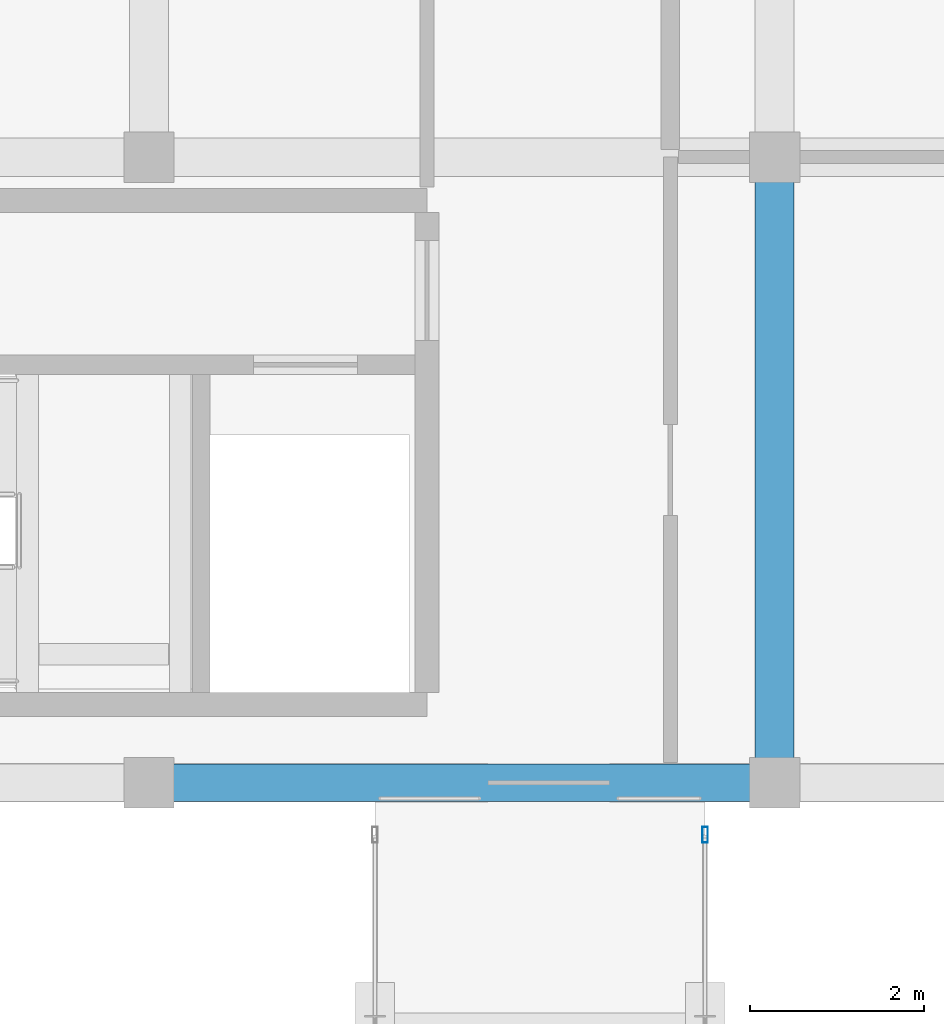
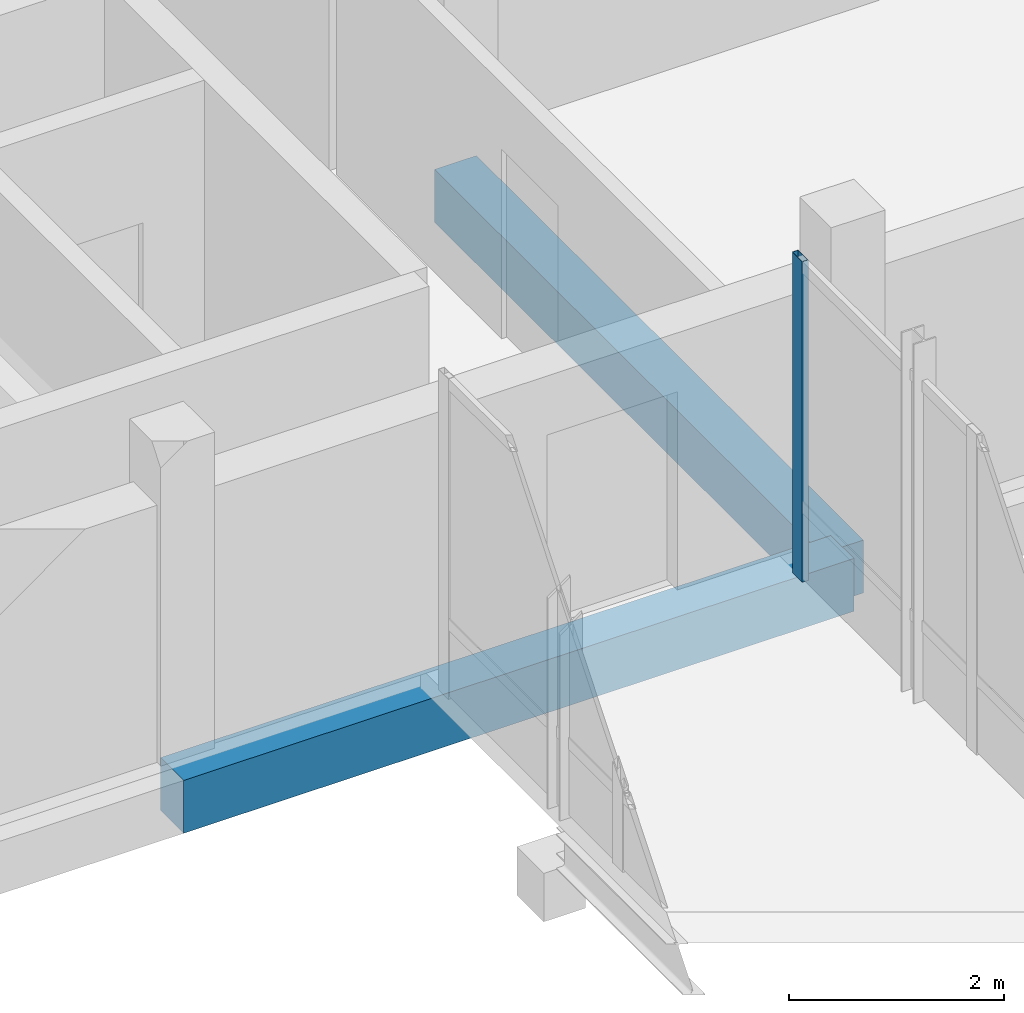
# One storey, part 60 of 128: 2 beams, 1 member, 1 element without a shape of its own.
"""IFC4 building model written with IfcOpenShell, lengths in metres."""

from ifc_helpers import new_model, si_unit, direction, frame, origin, origin_2d, place, context, subcontext, project, spatial, rectangle, hollow_rectangle, extrude, material, material_profile, profile_set, type_object, element, aggregate, save


model = new_model("IFC4")

# Units and contexts
model_context = context("Model", 3, precision=1e-05, world=origin(), true_north=direction((0.0, 1.0)))
body_context = subcontext(model_context, "Body", "Model", "MODEL_VIEW")
ifc_project = project(units=[si_unit("LENGTHUNIT", "METRE"), si_unit("AREAUNIT", "SQUARE_METRE"), si_unit("VOLUMEUNIT", "CUBIC_METRE"), si_unit("PLANEANGLEUNIT", "RADIAN"), si_unit("MASSUNIT", "GRAM", prefix="KILO")], contexts=[model_context])

# Site, building, storey
site_placement = place(None, origin())
site = spatial("IfcSite", under=ifc_project, at=site_placement, CompositionType="ELEMENT")
building_placement = place(site_placement, origin())
building = spatial("IfcBuilding", under=site, at=building_placement, Name="Zornivar Specialist Clinic", CompositionType="ELEMENT")
storey_placement = place(building_placement, frame((0.0, 0.0, 4.5)))
storey = spatial("IfcBuildingStorey", under=building, at=storey_placement, Name="L01", CompositionType="ELEMENT", Elevation=4.5)

# Beams
ifc_material_1 = material(Name="Concrete C30/37", Category="concrete")
ifc_material_profile_1 = material_profile(ifc_material_1, rectangle(XDim=0.449951171875, YDim=0.60009765625, at=origin_2d()), Name="RC 450x600")
ifc_profile_set_1 = profile_set([ifc_material_profile_1], Name="Concrete C30/37")
beam_type_1 = type_object("IfcBeamType", Name="BM-RC-450x600", PredefinedType="BEAM", material=ifc_profile_set_1)
beam_1_placement = place(storey_placement, frame((14.39990234375, 79.199951171875, -0.610107421875), z_axis=(0.0, 1.0, 0.0), x_axis=(-1.0, 0.0, 0.0)))
element("IfcBeam", 1, at=beam_1_placement, inside=storey, type_object=beam_type_1, Name="bm:V5:L01:y:144:0", PredefinedType="BEAM", context=body_context, shape_type="SweptSolid", body=[
    extrude(rectangle(XDim=0.449951171875, YDim=0.60009765625, at=origin_2d()), origin(), (0.0, 0.0, 1.0), 7.199951171875),
])
ifc_material_2 = material(Name="Concrete C30/37", Category="concrete")
ifc_material_profile_2 = material_profile(ifc_material_2, rectangle(XDim=0.429931640625, YDim=0.60009765625, at=origin_2d()), Name="RC 430x600")
ifc_profile_set_2 = profile_set([ifc_material_profile_2], Name="Concrete C30/37")
beam_type_2 = type_object("IfcBeamType", Name="BM-RC-SPANDREL-430x600", PredefinedType="SPANDREL", material=ifc_profile_set_2)
beam_2_placement = place(storey_placement, frame((7.199951171875, 79.199951171875, -0.610107421875), z_axis=(1.0, 0.0, 0.0), x_axis=(0.0, 1.0, 0.0)))
element("IfcBeam", 2, at=beam_2_placement, inside=storey, type_object=beam_type_2, Name="bm:V5:L01:x:792:1", PredefinedType="SPANDREL", context=body_context, shape_type="SweptSolid", body=[
    extrude(rectangle(XDim=0.429931640625, YDim=0.60009765625, at=origin_2d()), origin(), (0.0, 0.0, 1.0), 7.199951171875),
])

# Curtain wall, member
ifc_material_3 = material(Name="Aluminium and Low-E Glass Curtain Wall", Category="aluminium")
curtain_wall_type = type_object("IfcCurtainWallType", Name="CW-BRIDGE-LINK", PredefinedType="NOTDEFINED", material=ifc_material_3)
curtain_wall_placement = place(storey_placement, origin())
curtain_wall = element("IfcCurtainWall", 3, at=curtain_wall_placement, inside=storey, type_object=curtain_wall_type, Name="cw:BR2:L01:E:1", PredefinedType="NOTDEFINED")
ifc_material_4 = material(Name="Aluminium AW-6060", Category="aluminium")
ifc_material_profile_3 = material_profile(ifc_material_4, hollow_rectangle(XDim=0.06494140625, YDim=0.18505859375, WallThickness=0.00439453125, at=origin_2d()), Name="ALU 65x185x4.5")
ifc_profile_set_3 = profile_set([ifc_material_profile_3], Name="Aluminium AW-6060")
member_type = type_object("IfcMemberType", Name="CWM-MUL-185", PredefinedType="MULLION", material=ifc_profile_set_3)
member_placement = place(storey_placement, frame((13.60009765625, 78.60009765625, 0.0), z_axis=(0.0, 0.0, 1.0), x_axis=(1.0, 0.0, 0.0)))
member = element("IfcMember", 4, at=member_placement, type_object=member_type, Name="cw:BR2:L01:E:1:mul:3", PredefinedType="MULLION", context=body_context, shape_type="SweptSolid", body=[
    extrude(hollow_rectangle(XDim=0.06494140625, YDim=0.18505859375, WallThickness=0.00439453125, at=origin_2d()), origin(), (0.0, 0.0, 1.0), 3.639892578125),
])
aggregate(curtain_wall, [member])

save(model, "model.ifc")
